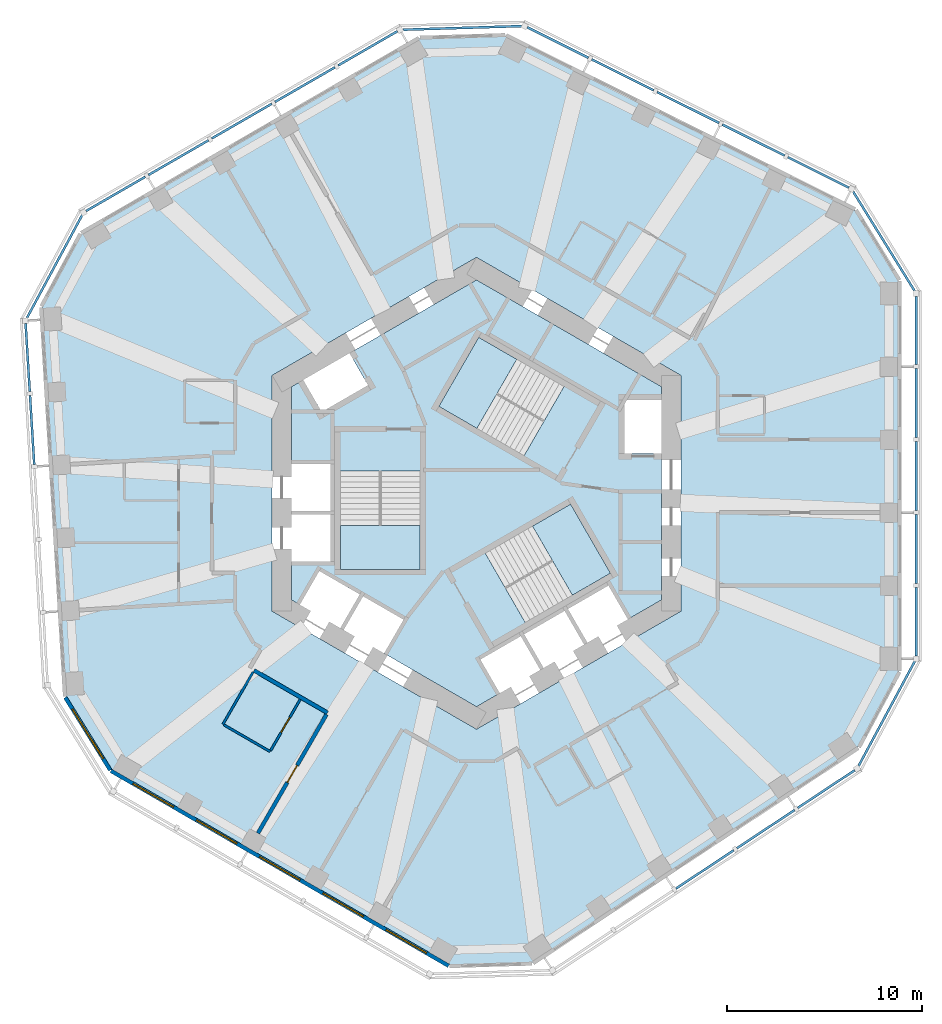
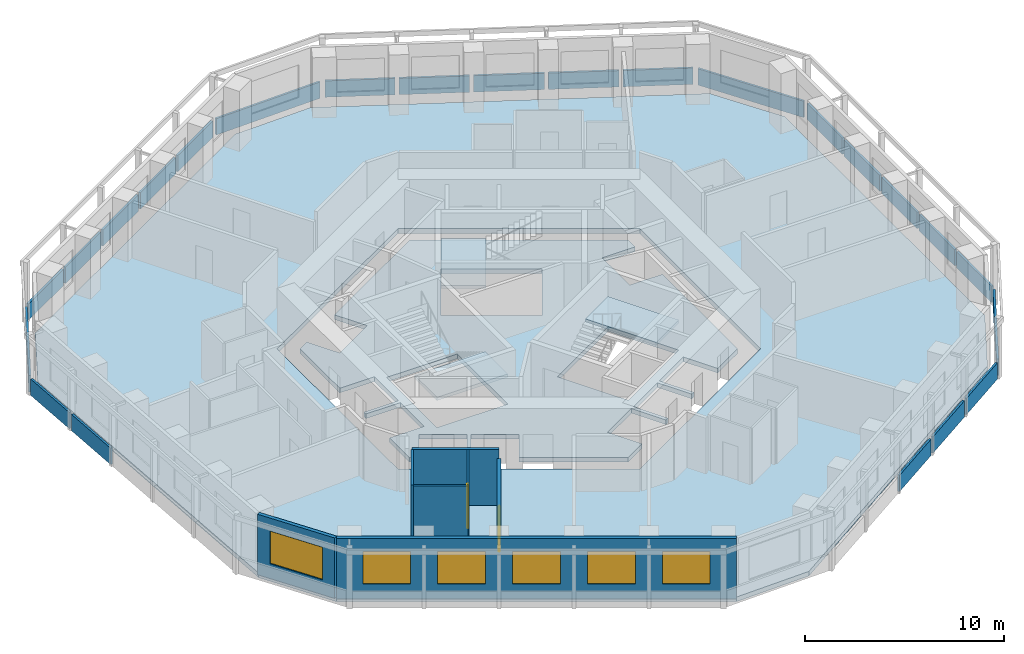
# One storey, part 3 of 11: 24 plates, 7 walls, 6 windows, 5 slabs, 2 doors, 8 openings, 12 elements without a shape of their own.
"""IFC4 building model written with IfcOpenShell, lengths in metres."""

from ifc_helpers import new_model, si_unit, direction, frame, frame_2d, origin, origin_2d, place, context, subcontext, project, spatial, polyline, rectangle, outline, extrude, material, layer, layer_set, type_object, element, fill, aggregate, save


model = new_model("IFC4")

# Units and contexts
model_context = context("Model", 3, precision=1e-05, world=origin(), true_north=direction((0.0, 1.0)))
body_context = subcontext(model_context, "Body", "Model", "MODEL_VIEW")
ifc_project = project(units=[si_unit("LENGTHUNIT", "METRE"), si_unit("AREAUNIT", "SQUARE_METRE"), si_unit("VOLUMEUNIT", "CUBIC_METRE"), si_unit("PLANEANGLEUNIT", "RADIAN"), si_unit("MASSUNIT", "GRAM", prefix="KILO")], contexts=[model_context])

# Site, building, storey
site_placement = place(None, origin())
site = spatial("IfcSite", under=ifc_project, at=site_placement, CompositionType="ELEMENT")
building_placement = place(site_placement, origin())
building = spatial("IfcBuilding", under=site, at=building_placement, Name="Vanh Sen Convention Tower", CompositionType="ELEMENT")
storey_placement = place(building_placement, frame((0.0, 0.0, 168.800048828125)))
storey = spatial("IfcBuildingStorey", under=building, at=storey_placement, Name="L41", CompositionType="ELEMENT", Elevation=168.800048828125)

# Slabs
ifc_material_1 = material(Name="Concrete C40/50", Category="concrete")
ifc_layer_1 = layer(ifc_material_1, 0.280029296875)
ifc_layer_set_1 = layer_set([ifc_layer_1], Name="Concrete C40/50")
slab_type_1 = type_object("IfcSlabType", Name="Core slab 280", PredefinedType="FLOOR", material=ifc_layer_set_1)
slab_1_placement = place(storey_placement, frame((0.0, 0.0, -0.280029296875)))
element("IfcSlab", 1, at=slab_1_placement, inside=storey, type_object=slab_type_1, Name="Core slab L41", PredefinedType="FLOOR", context=body_context, shape_type="SweptSolid", body=[
    extrude(outline(polyline([(0.0, 10.9697265625), (9.5, 5.48486328125), (9.5, 4.800048828125), (7.60009765625, 4.800048828125), (7.60009765625, 2.050048828125), (9.5, 2.050048828125), (9.5, -5.48486328125), (7.781005859375, -6.477294921875), (6.781005859375, -4.7451171875), (4.70263671875, -5.9453125), (5.70263671875, -7.67724609375), (5.529296875, -7.777099609375), (4.529296875, -6.045166015625), (2.450927734375, -7.2451171875), (3.450927734375, -8.977294921875), (3.27783203125, -9.0771484375), (2.27783203125, -7.34521484375), (0.19921875, -8.545166015625), (1.19921875, -10.277099609375), (0.0, -10.9697265625), (-4.75, -8.227294921875), (-3.75, -6.4951171875), (-5.82861328125, -5.295166015625), (-6.82861328125, -7.027099609375), (-7.001708984375, -6.92724609375), (-6.001708984375, -5.1953125), (-8.080078125, -3.9951171875), (-9.080078125, -5.727294921875), (-9.5, -5.48486328125), (-9.5, -3.5), (-7.5, -3.5), (-7.5, -1.10009765625), (-9.5, -1.10009765625), (-9.5, -0.89990234375), (-7.5, -0.89990234375), (-7.5, 1.5), (-9.5, 1.5), (-9.5, 5.48486328125), (-8.906982421875, 5.8271484375), (-7.956787109375, 4.181884765625), (-5.575439453125, 5.556884765625), (-6.525390625, 7.2021484375), (0.0, 10.9697265625)]), holes=[polyline([(-7.0, 1.1494140625), (-7.0, -3.909912109375), (-2.89990234375, -3.909912109375), (-2.89990234375, 1.1494140625), (-7.0, 1.1494140625)]), polyline([(2.504638671875, -6.63671875), (6.88623046875, -4.107177734375), (4.836181640625, -0.556396484375), (0.45458984375, -3.086181640625), (2.504638671875, -6.63671875)]), polyline([(0.11376953125, 8.01708984375), (-1.936279296875, 4.466552734375), (2.4453125, 1.936767578125), (4.495361328125, 5.487548828125), (0.11376953125, 8.01708984375)])]), origin(), (0.0, 0.0, 1.0), 0.280029296875),
])
ifc_layer_2 = layer(ifc_material_1, 0.280029296875)
ifc_layer_set_2 = layer_set([ifc_layer_2], Name="Concrete C40/50")
slab_type_2 = type_object("IfcSlabType", Name="Floor slab 280 REI 120", PredefinedType="FLOOR", material=ifc_layer_set_2)
slab_2_placement = place(storey_placement, frame((0.0, 0.0, -0.280029296875)))
element("IfcSlab", 2, at=slab_2_placement, inside=storey, type_object=slab_type_2, Name="Floor slab L41 tower", PredefinedType="FLOOR", context=body_context, shape_type="SweptSolid", body=[
    extrude(outline(polyline([(21.699951171875, -9.15087890625), (21.699951171875, 10.91943359375), (19.454833984375, 14.5478515625), (1.492919921875, 23.503173828125), (-2.925048828125, 23.368408203125), (-20.306640625, 13.3330078125), (-22.326171875, 9.574462890625), (-21.100830078125, -10.458740234375), (-18.77490234375, -14.21728515625), (-1.393310546875, -24.25244140625), (2.871337890625, -24.122314453125), (19.60791015625, -13.04443359375), (21.699951171875, -9.15087890625)]), holes=[polyline([(0.0, 12.12451171875), (-10.5, 6.062255859375), (-10.5, -6.062255859375), (0.0, -12.12451171875), (10.5, -6.062255859375), (10.5, 6.062255859375), (0.0, 12.12451171875)])]), origin(), (0.0, 0.0, 1.0), 0.280029296875),
])

# Curtain wall, plates
ifc_material_2 = material(Name="Concrete C50/60", Category="concrete")
curtain_wall_type = type_object("IfcCurtainWallType", Name="Outer skin office zone", PredefinedType="NOTDEFINED", material=ifc_material_2)
curtain_wall_1_placement = place(storey_placement, origin())
curtain_wall_1 = element("IfcCurtainWall", 3, at=curtain_wall_1_placement, inside=storey, type_object=curtain_wall_type, Name="OUTER SKIN E L41", PredefinedType="NOTDEFINED")
ifc_layer_3 = layer(ifc_material_2, 0.1201171875)
ifc_layer_set_3 = layer_set([ifc_layer_3], Name="Concrete C50/60")
plate_type = type_object("IfcPlateType", Name="Outer skin precast screen panel 120", PredefinedType="CURTAIN_PANEL", material=ifc_layer_set_3)
plate_1_placement = place(storey_placement, frame((22.60009765625, -6.59912109375, 0.0), z_axis=(0.0, 0.0, 1.0), x_axis=(0.0, 1.0, 0.0)))
plate_1 = element("IfcPlate", 4, at=plate_1_placement, type_object=plate_type, Name="OUTER SKIN screen panel E-1", PredefinedType="CURTAIN_PANEL", context=body_context, shape_type="SweptSolid", body=[
    extrude(rectangle(XDim=3.504150390625, YDim=0.1201171875, at=origin_2d()), origin(), (0.0, 0.0, 1.0), 1.0),
])
plate_2_placement = place(storey_placement, frame((22.60009765625, -2.869873046875, 0.0), z_axis=(0.0, 0.0, 1.0), x_axis=(0.0, 1.0, 0.0)))
plate_2 = element("IfcPlate", 5, at=plate_2_placement, type_object=plate_type, Name="OUTER SKIN screen panel E-2", PredefinedType="CURTAIN_PANEL", context=body_context, shape_type="SweptSolid", body=[
    extrude(rectangle(XDim=3.55419921875, YDim=0.1201171875, at=origin_2d()), origin(), (0.0, 0.0, 1.0), 1.0),
])
plate_3_placement = place(storey_placement, frame((22.60009765625, 0.88427734375, 0.0), z_axis=(0.0, 0.0, 1.0), x_axis=(0.0, 1.0, 0.0)))
plate_3 = element("IfcPlate", 6, at=plate_3_placement, type_object=plate_type, Name="OUTER SKIN screen panel E-3", PredefinedType="CURTAIN_PANEL", context=body_context, shape_type="SweptSolid", body=[
    extrude(rectangle(XDim=3.55419921875, YDim=0.1201171875, at=origin_2d()), origin(), (0.0, 0.0, 1.0), 1.0),
])
plate_4_placement = place(storey_placement, frame((22.60009765625, 4.63818359375, 0.0), z_axis=(0.0, 0.0, 1.0), x_axis=(0.0, 1.0, 0.0)))
plate_4 = element("IfcPlate", 7, at=plate_4_placement, type_object=plate_type, Name="OUTER SKIN screen panel E-4", PredefinedType="CURTAIN_PANEL", context=body_context, shape_type="SweptSolid", body=[
    extrude(rectangle(XDim=3.55419921875, YDim=0.1201171875, at=origin_2d()), origin(), (0.0, 0.0, 1.0), 1.0),
])
plate_5_placement = place(storey_placement, frame((22.60009765625, 8.367431640625, 0.0), z_axis=(0.0, 0.0, 1.0), x_axis=(0.0, 1.0, 0.0)))
plate_5 = element("IfcPlate", 8, at=plate_5_placement, type_object=plate_type, Name="OUTER SKIN screen panel E-5", PredefinedType="CURTAIN_PANEL", context=body_context, shape_type="SweptSolid", body=[
    extrude(rectangle(XDim=3.504150390625, YDim=0.1201171875, at=origin_2d()), origin(), (0.0, 0.0, 1.0), 1.0),
])
aggregate(curtain_wall_1, [plate_1, plate_2, plate_3, plate_4, plate_5])

# Curtain wall, plate
curtain_wall_2_placement = place(storey_placement, origin())
curtain_wall_2 = element("IfcCurtainWall", 9, at=curtain_wall_2_placement, inside=storey, type_object=curtain_wall_type, Name="OUTER SKIN CH1 L41", PredefinedType="NOTDEFINED")
plate_6_placement = place(storey_placement, frame((20.937255859375, 12.956298828125, 0.0), z_axis=(0.0, 0.0, 1.0), x_axis=(-0.5262035346, 0.850358653848, 0.0)))
plate_6 = element("IfcPlate", 10, at=plate_6_placement, type_object=plate_type, Name="OUTER SKIN screen panel CH1-1", PredefinedType="CURTAIN_PANEL", context=body_context, shape_type="SweptSolid", body=[
    extrude(rectangle(XDim=6.01953125, YDim=0.1201171875, at=origin_2d()), origin(), (0.0, 0.0, 1.0), 1.0),
])
aggregate(curtain_wall_2, [plate_6])

# Curtain wall, plates
curtain_wall_3_placement = place(storey_placement, origin())
curtain_wall_3 = element("IfcCurtainWall", 11, at=curtain_wall_3_placement, inside=storey, type_object=curtain_wall_type, Name="OUTER SKIN NE L41", PredefinedType="NOTDEFINED")
plate_7_placement = place(storey_placement, frame((17.572509765625, 16.491943359375, 0.0), z_axis=(0.0, 0.0, 1.0), x_axis=(-0.894943706551, 0.446179069551, 0.0)))
plate_7 = element("IfcPlate", 12, at=plate_7_placement, type_object=plate_type, Name="OUTER SKIN screen panel NE-1", PredefinedType="CURTAIN_PANEL", context=body_context, shape_type="SweptSolid", body=[
    extrude(rectangle(XDim=3.504150390625, YDim=0.1201171875, at=origin_2d()), origin(), (0.0, 0.0, 1.0), 1.0),
])
plate_8_placement = place(storey_placement, frame((14.235107421875, 18.156005859375, 0.0), z_axis=(0.0, 0.0, 1.0), x_axis=(-0.894932804072, 0.446200937017, 0.0)))
plate_8 = element("IfcPlate", 13, at=plate_8_placement, type_object=plate_type, Name="OUTER SKIN screen panel NE-2", PredefinedType="CURTAIN_PANEL", context=body_context, shape_type="SweptSolid", body=[
    extrude(rectangle(XDim=3.55419921875, YDim=0.1201171875, at=origin_2d()), origin(), (0.0, 0.0, 1.0), 1.0),
])
plate_9_placement = place(storey_placement, frame((10.87548828125, 19.8310546875, 0.0), z_axis=(0.0, 0.0, 1.0), x_axis=(-0.894932804072, 0.446200937017, 0.0)))
plate_9 = element("IfcPlate", 14, at=plate_9_placement, type_object=plate_type, Name="OUTER SKIN screen panel NE-3", PredefinedType="CURTAIN_PANEL", context=body_context, shape_type="SweptSolid", body=[
    extrude(rectangle(XDim=3.55419921875, YDim=0.1201171875, at=origin_2d()), origin(), (0.0, 0.0, 1.0), 1.0),
])
plate_10_placement = place(storey_placement, frame((7.515625, 21.506103515625, 0.0), z_axis=(0.0, 0.0, 1.0), x_axis=(-0.894932804072, 0.446200937017, 0.0)))
plate_10 = element("IfcPlate", 15, at=plate_10_placement, type_object=plate_type, Name="OUTER SKIN screen panel NE-4", PredefinedType="CURTAIN_PANEL", context=body_context, shape_type="SweptSolid", body=[
    extrude(rectangle(XDim=3.55419921875, YDim=0.1201171875, at=origin_2d()), origin(), (0.0, 0.0, 1.0), 1.0),
])
plate_11_placement = place(storey_placement, frame((4.178466796875, 23.169921875, 0.0), z_axis=(0.0, 0.0, 1.0), x_axis=(-0.894943706551, 0.446179069551, 0.0)))
plate_11 = element("IfcPlate", 16, at=plate_11_placement, type_object=plate_type, Name="OUTER SKIN screen panel NE-5", PredefinedType="CURTAIN_PANEL", context=body_context, shape_type="SweptSolid", body=[
    extrude(rectangle(XDim=3.504150390625, YDim=0.1201171875, at=origin_2d()), origin(), (0.0, 0.0, 1.0), 1.0),
])
aggregate(curtain_wall_3, [plate_7, plate_8, plate_9, plate_10, plate_11])

# Curtain wall, plate
curtain_wall_4_placement = place(storey_placement, origin())
curtain_wall_4 = element("IfcCurtainWall", 17, at=curtain_wall_4_placement, inside=storey, type_object=curtain_wall_type, Name="OUTER SKIN CH2 L41", PredefinedType="NOTDEFINED")
plate_12_placement = place(storey_placement, frame((-0.73095703125, 23.920654296875, 0.0), z_axis=(0.0, 0.0, 1.0), x_axis=(-0.999533590837, -0.03053851321, 0.0)))
plate_12 = element("IfcPlate", 18, at=plate_12_placement, type_object=plate_type, Name="OUTER SKIN screen panel CH2-1", PredefinedType="CURTAIN_PANEL", context=body_context, shape_type="SweptSolid", body=[
    extrude(rectangle(XDim=6.1171875, YDim=0.1201171875, at=origin_2d()), origin(), (0.0, 0.0, 1.0), 1.0),
])
aggregate(curtain_wall_4, [plate_12])

# Curtain wall, plates
curtain_wall_5_placement = place(storey_placement, origin())
curtain_wall_5 = element("IfcCurtainWall", 19, at=curtain_wall_5_placement, inside=storey, type_object=curtain_wall_type, Name="OUTER SKIN NW L41", PredefinedType="NOTDEFINED")
plate_13_placement = place(storey_placement, frame((-5.585205078125, 22.87158203125, 0.0), z_axis=(0.0, 0.0, 1.0), x_axis=(-0.866035002936, -0.499983373414, 0.0)))
plate_13 = element("IfcPlate", 20, at=plate_13_placement, type_object=plate_type, Name="OUTER SKIN screen panel NW-1", PredefinedType="CURTAIN_PANEL", context=body_context, shape_type="SweptSolid", body=[
    extrude(rectangle(XDim=3.504150390625, YDim=0.1201171875, at=origin_2d()), origin(), (0.0, 0.0, 1.0), 1.0),
])
plate_14_placement = place(storey_placement, frame((-8.814697265625, 21.007080078125, 0.0), z_axis=(0.0, 0.0, 1.0), x_axis=(-0.866016677006, -0.500015114919, 0.0)))
plate_14 = element("IfcPlate", 21, at=plate_14_placement, type_object=plate_type, Name="OUTER SKIN screen panel NW-2", PredefinedType="CURTAIN_PANEL", context=body_context, shape_type="SweptSolid", body=[
    extrude(rectangle(XDim=3.55419921875, YDim=0.1201171875, at=origin_2d()), origin(), (0.0, 0.0, 1.0), 1.0),
])
plate_15_placement = place(storey_placement, frame((-12.06591796875, 19.1298828125, 0.0), z_axis=(0.0, 0.0, 1.0), x_axis=(-0.866035002936, -0.499983373414, 0.0)))
plate_15 = element("IfcPlate", 22, at=plate_15_placement, type_object=plate_type, Name="OUTER SKIN screen panel NW-3", PredefinedType="CURTAIN_PANEL", context=body_context, shape_type="SweptSolid", body=[
    extrude(rectangle(XDim=3.55419921875, YDim=0.1201171875, at=origin_2d()), origin(), (0.0, 0.0, 1.0), 1.0),
])
plate_16_placement = place(storey_placement, frame((-15.31689453125, 17.2529296875, 0.0), z_axis=(0.0, 0.0, 1.0), x_axis=(-0.866016677006, -0.500015114919, 0.0)))
plate_16 = element("IfcPlate", 23, at=plate_16_placement, type_object=plate_type, Name="OUTER SKIN screen panel NW-4", PredefinedType="CURTAIN_PANEL", context=body_context, shape_type="SweptSolid", body=[
    extrude(rectangle(XDim=3.55419921875, YDim=0.1201171875, at=origin_2d()), origin(), (0.0, 0.0, 1.0), 1.0),
])
plate_17_placement = place(storey_placement, frame((-18.54638671875, 15.388427734375, 0.0), z_axis=(0.0, 0.0, 1.0), x_axis=(-0.866035002936, -0.499983373414, 0.0)))
plate_17 = element("IfcPlate", 24, at=plate_17_placement, type_object=plate_type, Name="OUTER SKIN screen panel NW-5", PredefinedType="CURTAIN_PANEL", context=body_context, shape_type="SweptSolid", body=[
    extrude(rectangle(XDim=3.504150390625, YDim=0.1201171875, at=origin_2d()), origin(), (0.0, 0.0, 1.0), 1.0),
])
aggregate(curtain_wall_5, [plate_13, plate_14, plate_15, plate_16, plate_17])

# Curtain wall, plate
curtain_wall_6_placement = place(storey_placement, origin())
curtain_wall_6 = element("IfcCurtainWall", 25, at=curtain_wall_6_placement, inside=storey, type_object=curtain_wall_type, Name="OUTER SKIN CH3 L41", PredefinedType="NOTDEFINED")
plate_18_placement = place(storey_placement, frame((-21.689208984375, 11.654052734375, 0.0), z_axis=(0.0, 0.0, 1.0), x_axis=(-0.47331812974, -0.880891564303, 0.0)))
plate_18 = element("IfcPlate", 26, at=plate_18_placement, type_object=plate_type, Name="OUTER SKIN screen panel CH3-1", PredefinedType="CURTAIN_PANEL", context=body_context, shape_type="SweptSolid", body=[
    extrude(rectangle(XDim=6.019287109375, YDim=0.1201171875, at=origin_2d()), origin(), (0.0, 0.0, 1.0), 1.0),
])
aggregate(curtain_wall_6, [plate_18])

# Curtain wall, plates
curtain_wall_7_placement = place(storey_placement, origin())
curtain_wall_7 = element("IfcCurtainWall", 27, at=curtain_wall_7_placement, inside=storey, type_object=curtain_wall_type, Name="OUTER SKIN W L41", PredefinedType="NOTDEFINED")
plate_19_placement = place(storey_placement, frame((-23.068603515625, 6.97216796875, 0.0), z_axis=(0.0, 0.0, 1.0), x_axis=(0.061053765756, -0.998134478759, 0.0)))
plate_19 = element("IfcPlate", 28, at=plate_19_placement, type_object=plate_type, Name="OUTER SKIN screen panel W-1", PredefinedType="CURTAIN_PANEL", context=body_context, shape_type="SweptSolid", body=[
    extrude(rectangle(XDim=3.504150390625, YDim=0.1201171875, at=origin_2d()), origin(), (0.0, 0.0, 1.0), 1.0),
])
plate_20_placement = place(storey_placement, frame((-22.841064453125, 3.25, 0.0), z_axis=(0.0, 0.0, 1.0), x_axis=(0.061052023682, -0.998134585316, 0.0)))
plate_20 = element("IfcPlate", 29, at=plate_20_placement, type_object=plate_type, Name="OUTER SKIN screen panel W-2", PredefinedType="CURTAIN_PANEL", context=body_context, shape_type="SweptSolid", body=[
    extrude(rectangle(XDim=3.55419921875, YDim=0.1201171875, at=origin_2d()), origin(), (0.0, 0.0, 1.0), 1.0),
])
aggregate(curtain_wall_7, [plate_19, plate_20])

curtain_wall_8_placement = place(storey_placement, origin())
curtain_wall_8 = element("IfcCurtainWall", 30, at=curtain_wall_8_placement, inside=storey, type_object=curtain_wall_type, Name="OUTER SKIN SE L41", PredefinedType="NOTDEFINED")
plate_21_placement = place(storey_placement, frame((11.736328125, -19.333984375, 0.0), z_axis=(0.0, 0.0, 1.0), x_axis=(0.833877152158, 0.551950083892, 0.0)))
plate_21 = element("IfcPlate", 31, at=plate_21_placement, type_object=plate_type, Name="OUTER SKIN screen panel SE-3", PredefinedType="CURTAIN_PANEL", context=body_context, shape_type="SweptSolid", body=[
    extrude(rectangle(XDim=3.55419921875, YDim=0.1201171875, at=origin_2d()), origin(), (0.0, 0.0, 1.0), 1.0),
])
plate_22_placement = place(storey_placement, frame((14.866943359375, -17.26171875, 0.0), z_axis=(0.0, 0.0, 1.0), x_axis=(0.833889675294, 0.551931163677, 0.0)))
plate_22 = element("IfcPlate", 32, at=plate_22_placement, type_object=plate_type, Name="OUTER SKIN screen panel SE-4", PredefinedType="CURTAIN_PANEL", context=body_context, shape_type="SweptSolid", body=[
    extrude(rectangle(XDim=3.55419921875, YDim=0.1201171875, at=origin_2d()), origin(), (0.0, 0.0, 1.0), 1.0),
])
plate_23_placement = place(storey_placement, frame((17.9765625, -15.20361328125, 0.0), z_axis=(0.0, 0.0, 1.0), x_axis=(0.833889675294, 0.551931163677, 0.0)))
plate_23 = element("IfcPlate", 33, at=plate_23_placement, type_object=plate_type, Name="OUTER SKIN screen panel SE-5", PredefinedType="CURTAIN_PANEL", context=body_context, shape_type="SweptSolid", body=[
    extrude(rectangle(XDim=3.504150390625, YDim=0.1201171875, at=origin_2d()), origin(), (0.0, 0.0, 1.0), 1.0),
])
aggregate(curtain_wall_8, [plate_21, plate_22, plate_23])

# Curtain wall, plate
curtain_wall_9_placement = place(storey_placement, origin())
curtain_wall_9 = element("IfcCurtainWall", 34, at=curtain_wall_9_placement, inside=storey, type_object=curtain_wall_type, Name="OUTER SKIN CH6 L41", PredefinedType="NOTDEFINED")
plate_24_placement = place(storey_placement, frame((21.081298828125, -11.327392578125, 0.0), z_axis=(0.0, 0.0, 1.0), x_axis=(0.473321204628, 0.880889912105, 0.0)))
plate_24 = element("IfcPlate", 35, at=plate_24_placement, type_object=plate_type, Name="OUTER SKIN screen panel CH6-1", PredefinedType="CURTAIN_PANEL", context=body_context, shape_type="SweptSolid", body=[
    extrude(rectangle(XDim=6.1171875, YDim=0.1201171875, at=origin_2d()), origin(), (0.0, 0.0, 1.0), 1.0),
])
aggregate(curtain_wall_9, [plate_24])

# Stair, slab
ifc_material_3 = material(Name="Concrete C50/60", Category="concrete")
stair_type_1 = type_object("IfcStairType", Name="Exit stair ST1 22 risers at 168.2", PredefinedType="HALF_TURN_STAIR", material=ifc_material_3)
stair_1_placement = place(storey_placement, origin())
stair_1 = element("IfcStair", 36, at=stair_1_placement, inside=storey, type_object=stair_type_1, Name="Exit stair ST1 L41", PredefinedType="HALF_TURN_STAIR")
ifc_layer_4 = layer(ifc_material_1, 0.199951171875)
ifc_layer_set_4 = layer_set([ifc_layer_4], Name="Concrete C40/50")
slab_type_3 = type_object("IfcSlabType", Name="Stair landing 200", PredefinedType="LANDING", material=ifc_layer_set_4)
slab_3_placement = place(storey_placement, frame((0.0, 0.0, 1.64990234375)))
slab_3 = element("IfcSlab", 37, at=slab_3_placement, type_object=slab_type_3, Name="ST1 landing 1", PredefinedType="LANDING", context=body_context, shape_type="SweptSolid", body=[
    extrude(outline(polyline([(2.07177734375, 6.88671875), (0.11376953125, 8.01708984375), (-1.936279296875, 4.466552734375), (0.021728515625, 3.336181640625), (2.07177734375, 6.88671875)])), origin(), (0.0, 0.0, 1.0), 0.199951171875),
])
aggregate(stair_1, [slab_3])

stair_type_2 = type_object("IfcStairType", Name="Exit stair ST2 22 risers at 168.2", PredefinedType="HALF_TURN_STAIR", material=ifc_material_3)
stair_2_placement = place(storey_placement, origin())
stair_2 = element("IfcStair", 38, at=stair_2_placement, inside=storey, type_object=stair_type_2, Name="Exit stair ST2 L41", PredefinedType="HALF_TURN_STAIR")
slab_4_placement = place(storey_placement, frame((0.0, 0.0, 1.64990234375)))
slab_4 = element("IfcSlab", 39, at=slab_4_placement, type_object=slab_type_3, Name="ST2 landing 1", PredefinedType="LANDING", context=body_context, shape_type="SweptSolid", body=[
    extrude(outline(polyline([(-7.0, -1.6494140625), (-7.0, -3.909912109375), (-2.89990234375, -3.909912109375), (-2.89990234375, -1.6494140625), (-7.0, -1.6494140625)])), origin(), (0.0, 0.0, 1.0), 0.199951171875),
])
aggregate(stair_2, [slab_4])

stair_type_3 = type_object("IfcStairType", Name="Exit stair ST3 22 risers at 168.2", PredefinedType="HALF_TURN_STAIR", material=ifc_material_3)
stair_3_placement = place(storey_placement, origin())
stair_3 = element("IfcStair", 40, at=stair_3_placement, inside=storey, type_object=stair_type_3, Name="Exit stair ST3 L41", PredefinedType="HALF_TURN_STAIR")
slab_5_placement = place(storey_placement, frame((0.0, 0.0, 1.64990234375)))
slab_5 = element("IfcSlab", 41, at=slab_5_placement, type_object=slab_type_3, Name="ST3 landing 1", PredefinedType="LANDING", context=body_context, shape_type="SweptSolid", body=[
    extrude(outline(polyline([(4.92822265625, -5.237548828125), (6.88623046875, -4.107177734375), (4.836181640625, -0.556396484375), (2.87841796875, -1.686767578125), (4.92822265625, -5.237548828125)])), origin(), (0.0, 0.0, 1.0), 0.199951171875),
])
aggregate(stair_3, [slab_5])

# Walls
ifc_material_4 = material(Name="Moisture-resistant gypsum board on steel studs", Category="steel")
ifc_layer_5 = layer(ifc_material_4, 0.1201171875)
ifc_layer_set_5 = layer_set([ifc_layer_5], Name="Moisture-resistant gypsum board on steel studs")
wall_type_1 = type_object("IfcWallType", Name="Bathroom partition 120", PredefinedType="PARTITIONING", material=ifc_layer_set_5)
wall_1_placement = place(storey_placement, frame((-13.03466796875, -11.87451171875, 0.0), z_axis=(0.0, 0.0, 1.0), x_axis=(0.500026960575, 0.86600983753, 0.0)))
element("IfcWall", 42, at=wall_1_placement, inside=storey, type_object=wall_type_1, Name="Bathroom partition 120", PredefinedType="PARTITIONING", context=body_context, shape_type="SweptSolid", body=[
    extrude(rectangle(XDim=3.099853515625, YDim=0.1201171875, at=frame_2d((1.5498046875, 0.0))), origin(), (0.0, 0.0, 1.0), 3.419921875),
])
wall_2_placement = place(storey_placement, frame((-10.609619140625, -13.274658203125, 0.0), z_axis=(0.0, 0.0, 1.0), x_axis=(-0.866019409031, 0.500010383074, 0.0)))
element("IfcWall", 43, at=wall_2_placement, inside=storey, type_object=wall_type_1, Name="Bathroom partition 120", PredefinedType="PARTITIONING", context=body_context, shape_type="SweptSolid", body=[
    extrude(rectangle(XDim=2.740234375, YDim=0.1201171875, at=frame_2d((1.3701171875, 0.0))), origin(), (0.0, 0.0, 1.0), 3.419921875),
])

# Wall, opening, door
wall_3_placement = place(storey_placement, frame((-9.059814453125, -10.58984375, 0.0), z_axis=(0.0, 0.0, 1.0), x_axis=(-0.49993101378, -0.866065229334, 0.0)))
wall_3 = element("IfcWall", 44, at=wall_3_placement, inside=storey, type_object=wall_type_1, Name="Bathroom partition 120", PredefinedType="PARTITIONING", context=body_context, shape_type="SweptSolid", body=[
    extrude(rectangle(XDim=3.0400390625, YDim=0.1201171875, at=frame_2d((1.52001953125, 0.0))), origin(), (0.0, 0.0, 1.0), 3.419921875),
])
opening_1_placement = place(wall_3_placement, frame((1.070068359375, 0.0, 0.0)))
opening_1 = element("IfcOpeningElement", 45, at=opening_1_placement, cuts=wall_3, Name="Opening D41114", PredefinedType="OPENING", context=body_context, shape_type="SweptSolid", body=[
    extrude(rectangle(XDim=0.89990234375, YDim=2.10009765625, at=frame_2d((0.449951171875, 1.050048828125))), frame((0.0, 0.070068359375, 0.0), z_axis=(0.0, -1.0, 0.0), x_axis=(1.0, 0.0, 0.0)), (0.0, 0.0, 1.0), 0.14013671875),
])
ifc_material_5 = material(Name="Laminate door in steel frame", Category="steel")
door_type_1 = type_object("IfcDoorType", Name="Room internal door 900", OperationType="SINGLE_SWING_LEFT", PredefinedType="DOOR", material=ifc_material_5)
door_1_placement = place(opening_1_placement, origin())
door_1 = element("IfcDoor", 46, at=door_1_placement, inside=storey, type_object=door_type_1, Name="Internal room door D41114", OperationType="SINGLE_SWING_LEFT", OverallHeight=2.10009765625, OverallWidth=0.89990234375, PredefinedType="DOOR", context=body_context, shape_type="SweptSolid", body=[
    extrude(rectangle(XDim=0.89990234375, YDim=2.10009765625, at=frame_2d((0.449951171875, 1.050048828125))), frame((0.0, 0.02490234375, 0.0), z_axis=(0.0, -1.0, 0.0), x_axis=(1.0, 0.0, 0.0)), (0.0, 0.0, 1.0), 0.050048828125),
])
fill(opening_1, door_1)

# Wall
ifc_material_6 = material(Name="Gypsum board on steel studs with mineral wool", Category="steel")
ifc_layer_6 = layer(ifc_material_6, 0.199951171875)
ifc_layer_set_6 = layer_set([ifc_layer_6], Name="Gypsum board on steel studs with mineral wool")
wall_type_2 = type_object("IfcWallType", Name="Corridor partition wall 200", PredefinedType="PARTITIONING", material=ifc_layer_set_6)
wall_4_placement = place(storey_placement, frame((-11.4345703125, -9.103271484375, 0.0), z_axis=(0.0, 0.0, 1.0), x_axis=(0.866007399799, -0.500031182522, 0.0)))
element("IfcWall", 47, at=wall_4_placement, inside=storey, type_object=wall_type_2, Name="Corridor partition wall 200", PredefinedType="PARTITIONING", context=body_context, shape_type="SweptSolid", body=[
    extrude(rectangle(XDim=4.358154296875, YDim=0.199951171875, at=frame_2d((2.17919921875, 0.0))), origin(), (0.0, 0.0, 1.0), 3.419921875),
])

# Wall, opening, door
wall_5_placement = place(storey_placement, frame((-11.23486328125, -17.4736328125, 0.0), z_axis=(0.0, 0.0, 1.0), x_axis=(0.500009260695, 0.866020057054, 0.0)))
wall_5 = element("IfcWall", 48, at=wall_5_placement, inside=storey, type_object=wall_type_2, Name="Corridor partition wall 200", PredefinedType="PARTITIONING", context=body_context, shape_type="SweptSolid", body=[
    extrude(rectangle(XDim=7.049072265625, YDim=0.199951171875, at=frame_2d((3.5244140625, 0.0))), origin(), (0.0, 0.0, 1.0), 2.869873046875),
])
opening_2_placement = place(wall_5_placement, frame((3.0244140625, 0.0, 0.0)))
opening_2 = element("IfcOpeningElement", 49, at=opening_2_placement, cuts=wall_5, Name="Opening D41113", PredefinedType="OPENING", context=body_context, shape_type="SweptSolid", body=[
    extrude(rectangle(XDim=1.0, YDim=2.10009765625, at=frame_2d((0.5, 1.050048828125))), frame((0.0, 0.10986328125, 0.0), z_axis=(0.0, -1.0, 0.0), x_axis=(1.0, 0.0, 0.0)), (0.0, 0.0, 1.0), 0.219970703125),
])
ifc_material_7 = material(Name="Glazed fire door in steel frame", Category="steel")
door_type_2 = type_object("IfcDoorType", Name="Tenant entrance door 1000", OperationType="SINGLE_SWING_LEFT", PredefinedType="DOOR", material=ifc_material_7)
door_2_placement = place(opening_2_placement, origin())
door_2 = element("IfcDoor", 50, at=door_2_placement, inside=storey, type_object=door_type_2, Name="Tenant suite entrance door D41113", OperationType="SINGLE_SWING_LEFT", OverallHeight=2.10009765625, OverallWidth=1.0, PredefinedType="DOOR", context=body_context, shape_type="SweptSolid", body=[
    extrude(rectangle(XDim=1.0, YDim=2.10009765625, at=frame_2d((0.5, 1.050048828125))), frame((0.0, 0.02490234375, 0.0), z_axis=(0.0, -1.0, 0.0), x_axis=(1.0, 0.0, 0.0)), (0.0, 0.0, 1.0), 0.050048828125),
])
fill(opening_2, door_2)

# Wall, opening, window
ifc_material_8 = material(Name="Insulated lightweight infill wall")
ifc_layer_7 = layer(ifc_material_8, 0.199951171875)
ifc_layer_set_7 = layer_set([ifc_layer_7], Name="Insulated lightweight infill wall")
wall_type_3 = type_object("IfcWallType", Name="External wall 200", PredefinedType="STANDARD", material=ifc_layer_set_7)
wall_6_placement = place(storey_placement, frame((-21.13671875, -10.49560546875, 0.0), z_axis=(0.0, 0.0, 1.0), x_axis=(0.526178661629, -0.850374044786, 0.0)))
wall_6 = element("IfcWall", 51, at=wall_6_placement, inside=storey, type_object=wall_type_3, Name="External wall CH4 L41", PredefinedType="STANDARD", context=body_context, shape_type="SweptSolid", body=[
    extrude(rectangle(XDim=4.394775390625, YDim=0.199951171875, at=frame_2d((2.197265625, 0.0))), origin(), (0.0, 0.0, 1.0), 3.699951171875),
])
opening_3_placement = place(wall_6_placement, frame((0.697509765625, 0.0, 0.89990234375)))
opening_3 = element("IfcOpeningElement", 52, at=opening_3_placement, cuts=wall_6, Name="Opening WO2-CH41", PredefinedType="OPENING", context=body_context, shape_type="SweptSolid", body=[
    extrude(rectangle(XDim=3.0, YDim=2.0, at=frame_2d((1.5, 1.0))), frame((0.0, 0.10986328125, 0.0), z_axis=(0.0, -1.0, 0.0), x_axis=(1.0, 0.0, 0.0)), (0.0, 0.0, 1.0), 0.219970703125),
])
ifc_material_9 = material(Name="Aluminium frame with clear low-emissivity glass", Category="aluminium")
window_type_1 = type_object("IfcWindowType", Name="Office window 3000 x 2000", PartitioningType="SINGLE_PANEL", PredefinedType="WINDOW", material=ifc_material_9)
window_1_placement = place(opening_3_placement, origin())
window_1 = element("IfcWindow", 53, at=window_1_placement, inside=storey, type_object=window_type_1, Name="Window WO2-CH41", OverallHeight=2.0, OverallWidth=3.0, PartitioningType="SINGLE_PANEL", PredefinedType="WINDOW", context=body_context, shape_type="SweptSolid", body=[
    extrude(rectangle(XDim=3.0, YDim=2.0, at=frame_2d((1.5, 1.0))), frame((0.0, 0.030029296875, 0.0), z_axis=(0.0, -1.0, 0.0), x_axis=(1.0, 0.0, 0.0)), (0.0, 0.0, 1.0), 0.06005859375),
])
fill(opening_3, window_1)

# Wall, openings, windows
wall_7_placement = place(storey_placement, frame((-18.7890625, -14.266845703125, 0.0), z_axis=(0.0, 0.0, 1.0), x_axis=(0.866023315909, -0.500003616288, 0.0)))
wall_7 = element("IfcWall", 54, at=wall_7_placement, inside=storey, type_object=wall_type_3, Name="External wall SW L41", PredefinedType="STANDARD", context=body_context, shape_type="SweptSolid", body=[
    extrude(rectangle(XDim=20.043701171875, YDim=0.199951171875, at=frame_2d((10.02197265625, 0.0))), origin(), (0.0, 0.0, 1.0), 3.699951171875),
])
opening_4_placement = place(wall_7_placement, frame((1.314453125, 0.0, 0.89990234375)))
opening_4 = element("IfcOpeningElement", 55, at=opening_4_placement, cuts=wall_7, Name="Opening WO1-SW1", PredefinedType="OPENING", context=body_context, shape_type="SweptSolid", body=[
    extrude(rectangle(XDim=2.39990234375, YDim=2.0, at=frame_2d((1.199951171875, 1.0))), frame((0.0, 0.10986328125, 0.0), z_axis=(0.0, -1.0, 0.0), x_axis=(1.0, 0.0, 0.0)), (0.0, 0.0, 1.0), 0.219970703125),
])
opening_5_placement = place(wall_7_placement, frame((5.068603515625, 0.0, 0.89990234375)))
opening_5 = element("IfcOpeningElement", 56, at=opening_5_placement, cuts=wall_7, Name="Opening WO1-SW2", PredefinedType="OPENING", context=body_context, shape_type="SweptSolid", body=[
    extrude(rectangle(XDim=2.39990234375, YDim=2.0, at=frame_2d((1.199951171875, 1.0))), frame((0.0, 0.10986328125, 0.0), z_axis=(0.0, -1.0, 0.0), x_axis=(1.0, 0.0, 0.0)), (0.0, 0.0, 1.0), 0.219970703125),
])
opening_6_placement = place(wall_7_placement, frame((8.82275390625, 0.0, 0.89990234375)))
opening_6 = element("IfcOpeningElement", 57, at=opening_6_placement, cuts=wall_7, Name="Opening WO1-SW3", PredefinedType="OPENING", context=body_context, shape_type="SweptSolid", body=[
    extrude(rectangle(XDim=2.39990234375, YDim=2.0, at=frame_2d((1.199951171875, 1.0))), frame((0.0, 0.10986328125, 0.0), z_axis=(0.0, -1.0, 0.0), x_axis=(1.0, 0.0, 0.0)), (0.0, 0.0, 1.0), 0.219970703125),
])
opening_7_placement = place(wall_7_placement, frame((12.576904296875, 0.0, 0.89990234375)))
opening_7 = element("IfcOpeningElement", 58, at=opening_7_placement, cuts=wall_7, Name="Opening WO1-SW4", PredefinedType="OPENING", context=body_context, shape_type="SweptSolid", body=[
    extrude(rectangle(XDim=2.39990234375, YDim=2.0, at=frame_2d((1.199951171875, 1.0))), frame((0.0, 0.10986328125, 0.0), z_axis=(0.0, -1.0, 0.0), x_axis=(1.0, 0.0, 0.0)), (0.0, 0.0, 1.0), 0.219970703125),
])
opening_8_placement = place(wall_7_placement, frame((16.330810546875, 0.0, 0.89990234375)))
opening_8 = element("IfcOpeningElement", 59, at=opening_8_placement, cuts=wall_7, Name="Opening WO1-SW5", PredefinedType="OPENING", context=body_context, shape_type="SweptSolid", body=[
    extrude(rectangle(XDim=2.39990234375, YDim=2.0, at=frame_2d((1.199951171875, 1.0))), frame((0.0, 0.10986328125, 0.0), z_axis=(0.0, -1.0, 0.0), x_axis=(1.0, 0.0, 0.0)), (0.0, 0.0, 1.0), 0.219970703125),
])
window_type_2 = type_object("IfcWindowType", Name="Office window 2400 x 2000", PartitioningType="SINGLE_PANEL", PredefinedType="WINDOW", material=ifc_material_9)
window_2_placement = place(opening_4_placement, origin())
window_2 = element("IfcWindow", 60, at=window_2_placement, inside=storey, type_object=window_type_2, Name="Window WO1-SW1", OverallHeight=2.0, OverallWidth=2.39990234375, PartitioningType="SINGLE_PANEL", PredefinedType="WINDOW", context=body_context, shape_type="SweptSolid", body=[
    extrude(rectangle(XDim=2.39990234375, YDim=2.0, at=frame_2d((1.199951171875, 1.0))), frame((0.0, 0.030029296875, 0.0), z_axis=(0.0, -1.0, 0.0), x_axis=(1.0, 0.0, 0.0)), (0.0, 0.0, 1.0), 0.06005859375),
])
fill(opening_4, window_2)
window_3_placement = place(opening_5_placement, origin())
window_3 = element("IfcWindow", 61, at=window_3_placement, inside=storey, type_object=window_type_2, Name="Window WO1-SW2", OverallHeight=2.0, OverallWidth=2.39990234375, PartitioningType="SINGLE_PANEL", PredefinedType="WINDOW", context=body_context, shape_type="SweptSolid", body=[
    extrude(rectangle(XDim=2.39990234375, YDim=2.0, at=frame_2d((1.199951171875, 1.0))), frame((0.0, 0.030029296875, 0.0), z_axis=(0.0, -1.0, 0.0), x_axis=(1.0, 0.0, 0.0)), (0.0, 0.0, 1.0), 0.06005859375),
])
fill(opening_5, window_3)
window_4_placement = place(opening_6_placement, origin())
window_4 = element("IfcWindow", 62, at=window_4_placement, inside=storey, type_object=window_type_2, Name="Window WO1-SW3", OverallHeight=2.0, OverallWidth=2.39990234375, PartitioningType="SINGLE_PANEL", PredefinedType="WINDOW", context=body_context, shape_type="SweptSolid", body=[
    extrude(rectangle(XDim=2.39990234375, YDim=2.0, at=frame_2d((1.199951171875, 1.0))), frame((0.0, 0.030029296875, 0.0), z_axis=(0.0, -1.0, 0.0), x_axis=(1.0, 0.0, 0.0)), (0.0, 0.0, 1.0), 0.06005859375),
])
fill(opening_6, window_4)
window_5_placement = place(opening_7_placement, origin())
window_5 = element("IfcWindow", 63, at=window_5_placement, inside=storey, type_object=window_type_2, Name="Window WO1-SW4", OverallHeight=2.0, OverallWidth=2.39990234375, PartitioningType="SINGLE_PANEL", PredefinedType="WINDOW", context=body_context, shape_type="SweptSolid", body=[
    extrude(rectangle(XDim=2.39990234375, YDim=2.0, at=frame_2d((1.199951171875, 1.0))), frame((0.0, 0.030029296875, 0.0), z_axis=(0.0, -1.0, 0.0), x_axis=(1.0, 0.0, 0.0)), (0.0, 0.0, 1.0), 0.06005859375),
])
fill(opening_7, window_5)
window_6_placement = place(opening_8_placement, origin())
window_6 = element("IfcWindow", 64, at=window_6_placement, inside=storey, type_object=window_type_2, Name="Window WO1-SW5", OverallHeight=2.0, OverallWidth=2.39990234375, PartitioningType="SINGLE_PANEL", PredefinedType="WINDOW", context=body_context, shape_type="SweptSolid", body=[
    extrude(rectangle(XDim=2.39990234375, YDim=2.0, at=frame_2d((1.199951171875, 1.0))), frame((0.0, 0.030029296875, 0.0), z_axis=(0.0, -1.0, 0.0), x_axis=(1.0, 0.0, 0.0)), (0.0, 0.0, 1.0), 0.06005859375),
])
fill(opening_8, window_6)

save(model, "model.ifc")
